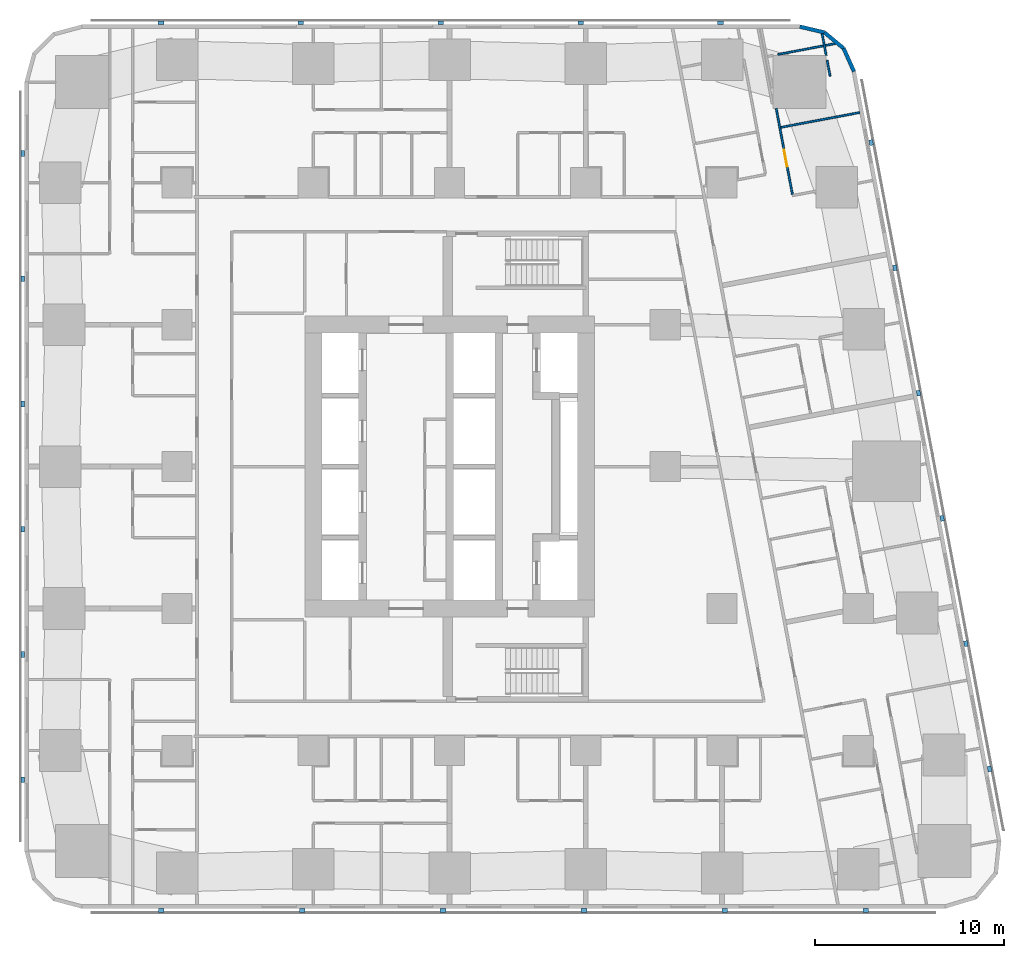
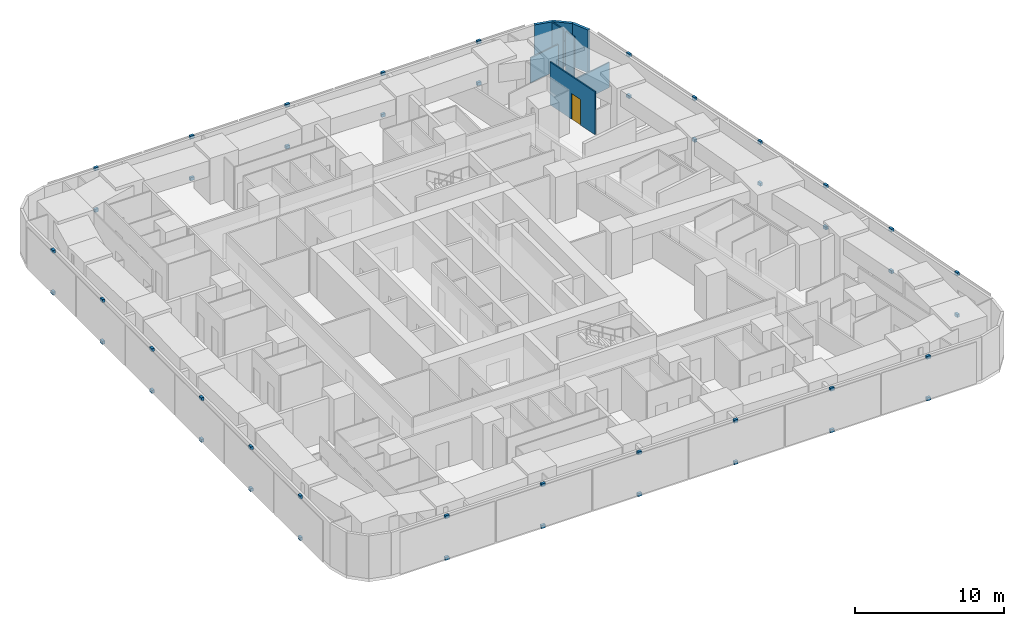
# One storey, part 10 of 14: 46 discrete accessories, 8 walls, 1 door, 1 opening.
"""IFC4 building model written with IfcOpenShell, lengths in metres."""

from ifc_helpers import new_model, si_unit, direction, frame, frame_2d, origin, origin_2d, place, context, subcontext, project, spatial, rectangle, extrude, material, layer, layer_set, type_object, element, fill, save


model = new_model("IFC4")

# Units and contexts
model_context = context("Model", 3, precision=1e-05, world=origin(), true_north=direction((0.0, 1.0)))
body_context = subcontext(model_context, "Body", "Model", "MODEL_VIEW")
ifc_project = project(units=[si_unit("LENGTHUNIT", "METRE"), si_unit("AREAUNIT", "SQUARE_METRE"), si_unit("VOLUMEUNIT", "CUBIC_METRE"), si_unit("PLANEANGLEUNIT", "RADIAN"), si_unit("MASSUNIT", "GRAM", prefix="KILO")], contexts=[model_context])

# Site, building, storey
site_placement = place(None, origin())
site = spatial("IfcSite", under=ifc_project, at=site_placement, CompositionType="ELEMENT")
building_placement = place(site_placement, origin())
building = spatial("IfcBuilding", under=site, at=building_placement, Name="Sheger Commons Tower", CompositionType="ELEMENT")
storey_placement = place(building_placement, frame((0.0, 0.0, 122.89990234375)))
storey = spatial("IfcBuildingStorey", under=building, at=storey_placement, Name="L31", CompositionType="ELEMENT", Elevation=122.89990234375)

# Walls
ifc_material_1 = material(Name="Rendered concrete block masonry, dark grey", Category="masonry")
ifc_layer_1 = layer(ifc_material_1, 0.199951171875)
ifc_layer_set_1 = layer_set([ifc_layer_1], Name="FACADE WALL 200")
wall_type_1 = type_object("IfcWallType", Name="FACADE WALL 200", PredefinedType="SOLIDWALL", material=ifc_layer_set_1)
wall_1_placement = place(storey_placement, frame((42.969970703125, 43.376953125, 0.0), z_axis=(0.0, 0.0, 1.0), x_axis=(-0.406002956633, 0.913871762998, 0.0)))
element("IfcWall", 1, at=wall_1_placement, inside=storey, type_object=wall_type_1, Name="Facade wall L31", PredefinedType="SOLIDWALL", context=body_context, shape_type="SweptSolid", body=[
    extrude(rectangle(XDim=1.33740234375, YDim=0.199951171875, at=frame_2d((0.668701171875, 0.0))), origin(), (0.0, 0.0, 1.0), 3.5),
])
wall_2_placement = place(storey_placement, frame((42.427001953125, 44.59912109375, 0.0), z_axis=(0.0, 0.0, 1.0), x_axis=(-0.770091412544, 0.637933551655, 0.0)))
element("IfcWall", 2, at=wall_2_placement, inside=storey, type_object=wall_type_1, Name="Facade wall L31", PredefinedType="SOLIDWALL", context=body_context, shape_type="SweptSolid", body=[
    extrude(rectangle(XDim=1.324462890625, YDim=0.199951171875, at=frame_2d((0.662109375, 0.0))), origin(), (0.0, 0.0, 1.0), 3.5),
])
wall_3_placement = place(storey_placement, frame((41.406982421875, 45.444091796875, 0.0), z_axis=(0.0, 0.0, 1.0), x_axis=(-0.973453091607, 0.228886606077, 0.0)))
element("IfcWall", 3, at=wall_3_placement, inside=storey, type_object=wall_type_1, Name="Facade wall L31", PredefinedType="SOLIDWALL", context=body_context, shape_type="SweptSolid", body=[
    extrude(rectangle(XDim=1.33642578125, YDim=0.199951171875, at=frame_2d((0.668212890625, 0.0))), origin(), (0.0, 0.0, 1.0), 3.5),
])
ifc_material_2 = material(Name="Gypsum board on steel studs", Category="steel")
ifc_layer_2 = layer(ifc_material_2, 0.10009765625)
ifc_layer_set_2 = layer_set([ifc_layer_2], Name="PARTITION 100")
wall_type_2 = type_object("IfcWallType", Name="PARTITION 100", PredefinedType="PARTITIONING", material=ifc_layer_set_2)
wall_4_placement = place(storey_placement, frame((41.287109375, 45.3701171875, 0.0), z_axis=(0.0, 0.0, 1.0), x_axis=(0.185121628323, -0.982715616405, 0.0)))
element("IfcWall", 4, at=wall_4_placement, inside=storey, type_object=wall_type_2, Name="Partition L31", PredefinedType="PARTITIONING", context=body_context, shape_type="SweptSolid", body=[
    extrude(rectangle(XDim=1.14990234375, YDim=0.10009765625, at=frame_2d((0.574951171875, 0.0))), origin(), (0.0, 0.0, 1.0), 3.5),
])
wall_5_placement = place(storey_placement, frame((41.551025390625, 43.968994140625, 0.0), z_axis=(0.0, 0.0, 1.0), x_axis=(0.185884171512, -0.982571663942, 0.0)))
element("IfcWall", 5, at=wall_5_placement, inside=storey, type_object=wall_type_2, Name="Partition L31", PredefinedType="PARTITIONING", context=body_context, shape_type="SweptSolid", body=[
    extrude(rectangle(XDim=0.849853515625, YDim=0.10009765625, at=frame_2d((0.4248046875, 0.0))), origin(), (0.0, 0.0, 1.0), 3.5),
])

# Wall, opening, door
wall_6_placement = place(storey_placement, frame((38.862060546875, 41.419921875, 0.0), z_axis=(0.0, 0.0, 1.0), x_axis=(0.185332907641, -0.982675792592, 0.0)))
wall_6 = element("IfcWall", 6, at=wall_6_placement, inside=storey, type_object=wall_type_2, Name="Partition L31", PredefinedType="PARTITIONING", context=body_context, shape_type="SweptSolid", body=[
    extrude(rectangle(XDim=4.62890625, YDim=0.10009765625, at=frame_2d((2.314453125, 0.0))), origin(), (0.0, 0.0, 1.0), 3.5),
])
opening_placement = place(wall_6_placement, frame((2.219970703125, 0.0, 0.0)))
opening = element("IfcOpeningElement", 7, at=opening_placement, cuts=wall_6, Name="Opening D2", PredefinedType="OPENING", context=body_context, shape_type="SweptSolid", body=[
    extrude(rectangle(XDim=0.89990234375, YDim=2.10009765625, at=frame_2d((0.449951171875, 1.050048828125))), frame((0.0, 0.06005859375, 0.0), z_axis=(0.0, -1.0, 0.0), x_axis=(1.0, 0.0, 0.0)), (0.0, 0.0, 1.0), 0.1201171875),
])
ifc_material_3 = material(Name="Timber door set", Category="wood")
door_type = type_object("IfcDoorType", Name="INTERNAL DOOR 900x2100", OperationType="NOTDEFINED", PredefinedType="DOOR", material=ifc_material_3)
door_placement = place(opening_placement, origin())
door = element("IfcDoor", 8, at=door_placement, inside=storey, type_object=door_type, Name="Main bedroom door", OperationType="SINGLE_SWING_LEFT", OverallHeight=2.10009765625, OverallWidth=0.89990234375, PredefinedType="DOOR", context=body_context, shape_type="SweptSolid", body=[
    extrude(rectangle(XDim=0.89990234375, YDim=2.10009765625, at=frame_2d((0.449951171875, 1.050048828125))), frame((0.0, 0.02490234375, 0.0), z_axis=(0.0, -1.0, 0.0), x_axis=(1.0, 0.0, 0.0)), (0.0, 0.0, 1.0), 0.050048828125),
])
fill(opening, door)

# Walls
wall_7_placement = place(storey_placement, frame((41.968017578125, 44.85009765625, 0.0), z_axis=(0.0, 0.0, 1.0), x_axis=(-0.982566714195, -0.185910333644, 0.0)))
element("IfcWall", 9, at=wall_7_placement, inside=storey, type_object=wall_type_2, Name="Partition L31", PredefinedType="PARTITIONING", context=body_context, shape_type="SweptSolid", body=[
    extrude(rectangle(XDim=3.071533203125, YDim=0.10009765625, at=frame_2d((1.53564453125, 0.0))), origin(), (0.0, 0.0, 1.0), 2.050048828125),
])
wall_8_placement = place(storey_placement, frame((43.277099609375, 41.2119140625, 0.0), z_axis=(0.0, 0.0, 1.0), x_axis=(-0.982665405803, -0.185387972203, 0.0)))
element("IfcWall", 10, at=wall_8_placement, inside=storey, type_object=wall_type_2, Name="Partition L31", PredefinedType="PARTITIONING", context=body_context, shape_type="SweptSolid", body=[
    extrude(rectangle(XDim=4.249755859375, YDim=0.10009765625, at=frame_2d((2.125, 0.0))), origin(), (0.0, 0.0, 1.0), 2.050048828125),
])

# Discrete accessories
ifc_material_4 = material(Name="Black painted steel bracket", Category="steel")
discrete_accessory_type = type_object("IfcDiscreteAccessoryType", Name="SCREEN BRACKET 300x200x250", PredefinedType="BRACKET", material=ifc_material_4)
for number, where, z_axis, x_axis, name in (
    (11, (6.37109375, -0.949951171875, -0.099853515625), (0.0, 0.0, 1.0), (1.0, 0.0, 0.0), "Solar screen foot bracket"),
    (12, (6.37109375, -0.949951171875, 3.300048828125), (0.0, 0.0, 1.0), (1.0, 0.0, 0.0), "Solar screen head bracket"),
    (13, (13.81396484375, -0.949951171875, -0.099853515625), (0.0, 0.0, 1.0), (1.0, 0.0, 0.0), "Solar screen foot bracket"),
    (14, (13.81396484375, -0.949951171875, 3.300048828125), (0.0, 0.0, 1.0), (1.0, 0.0, 0.0), "Solar screen head bracket"),
    (15, (21.257080078125, -0.949951171875, -0.099853515625), (0.0, 0.0, 1.0), (1.0, 0.0, 0.0), "Solar screen foot bracket"),
    (16, (21.257080078125, -0.949951171875, 3.300048828125), (0.0, 0.0, 1.0), (1.0, 0.0, 0.0), "Solar screen head bracket"),
    (17, (28.698974609375, -0.949951171875, -0.099853515625), (0.0, 0.0, 1.0), (1.0, 0.0, 0.0), "Solar screen foot bracket"),
    (18, (28.698974609375, -0.949951171875, 3.300048828125), (0.0, 0.0, 1.0), (1.0, 0.0, 0.0), "Solar screen head bracket"),
    (19, (36.14208984375, -0.949951171875, -0.099853515625), (0.0, 0.0, 1.0), (1.0, 0.0, 0.0), "Solar screen foot bracket"),
    (20, (36.14208984375, -0.949951171875, 3.300048828125), (0.0, 0.0, 1.0), (1.0, 0.0, 0.0), "Solar screen head bracket"),
    (21, (43.5849609375, -0.949951171875, -0.099853515625), (0.0, 0.0, 1.0), (1.0, 0.0, 0.0), "Solar screen foot bracket"),
    (22, (43.5849609375, -0.949951171875, 3.300048828125), (0.0, 0.0, 1.0), (1.0, 0.0, 0.0), "Solar screen head bracket"),
    (23, (50.134033203125, 6.527099609375, -0.099853515625), (0.0, 0.0, 1.0), (-0.185615165645, 0.982622516678, 0.0), "Solar screen foot bracket"),
    (24, (50.134033203125, 6.527099609375, 3.300048828125), (0.0, 0.0, 1.0), (-0.185615165645, 0.982622516678, 0.0), "Solar screen head bracket"),
    (25, (48.884033203125, 13.14599609375, -0.099853515625), (0.0, 0.0, 1.0), (-0.185615165645, 0.982622516678, 0.0), "Solar screen foot bracket"),
    (26, (48.884033203125, 13.14599609375, 3.300048828125), (0.0, 0.0, 1.0), (-0.185615165645, 0.982622516678, 0.0), "Solar screen head bracket"),
    (27, (47.633056640625, 19.76611328125, -0.099853515625), (0.0, 0.0, 1.0), (-0.185615165645, 0.982622516678, 0.0), "Solar screen foot bracket"),
    (28, (47.633056640625, 19.76611328125, 3.300048828125), (0.0, 0.0, 1.0), (-0.185615165645, 0.982622516678, 0.0), "Solar screen head bracket"),
    (29, (46.383056640625, 26.385009765625, -0.099853515625), (0.0, 0.0, 1.0), (-0.185615165645, 0.982622516678, 0.0), "Solar screen foot bracket"),
    (30, (46.383056640625, 26.385009765625, 3.300048828125), (0.0, 0.0, 1.0), (-0.185615165645, 0.982622516678, 0.0), "Solar screen head bracket"),
    (31, (45.133056640625, 33.0048828125, -0.099853515625), (0.0, 0.0, 1.0), (-0.185615165645, 0.982622516678, 0.0), "Solar screen foot bracket"),
    (32, (45.133056640625, 33.0048828125, 3.300048828125), (0.0, 0.0, 1.0), (-0.185615165645, 0.982622516678, 0.0), "Solar screen head bracket"),
    (33, (43.882080078125, 39.6240234375, -0.099853515625), (0.0, 0.0, 1.0), (-0.185615165645, 0.982622516678, 0.0), "Solar screen foot bracket"),
    (34, (43.882080078125, 39.6240234375, 3.300048828125), (0.0, 0.0, 1.0), (-0.185615165645, 0.982622516678, 0.0), "Solar screen head bracket"),
    (35, (35.9208984375, 45.949951171875, -0.099853515625), (0.0, 0.0, 1.0), (-1.0, 0.0, 0.0), "Solar screen foot bracket"),
    (36, (35.9208984375, 45.949951171875, 3.300048828125), (0.0, 0.0, 1.0), (-1.0, 0.0, 0.0), "Solar screen head bracket"),
    (37, (28.528076171875, 45.949951171875, -0.099853515625), (0.0, 0.0, 1.0), (-1.0, 0.0, 0.0), "Solar screen foot bracket"),
    (38, (28.528076171875, 45.949951171875, 3.300048828125), (0.0, 0.0, 1.0), (-1.0, 0.0, 0.0), "Solar screen head bracket"),
    (39, (21.134033203125, 45.949951171875, -0.099853515625), (0.0, 0.0, 1.0), (-1.0, 0.0, 0.0), "Solar screen foot bracket"),
    (40, (21.134033203125, 45.949951171875, 3.300048828125), (0.0, 0.0, 1.0), (-1.0, 0.0, 0.0), "Solar screen head bracket"),
    (41, (13.739990234375, 45.949951171875, -0.099853515625), (0.0, 0.0, 1.0), (-1.0, 0.0, 0.0), "Solar screen foot bracket"),
    (42, (13.739990234375, 45.949951171875, 3.300048828125), (0.0, 0.0, 1.0), (-1.0, 0.0, 0.0), "Solar screen head bracket"),
    (43, (6.346923828125, 45.949951171875, -0.099853515625), (0.0, 0.0, 1.0), (-1.0, 0.0, 0.0), "Solar screen foot bracket"),
    (44, (6.346923828125, 45.949951171875, 3.300048828125), (0.0, 0.0, 1.0), (-1.0, 0.0, 0.0), "Solar screen head bracket"),
    (45, (-0.949951171875, 39.0419921875, -0.099853515625), (0.0, 0.0, 1.0), (0.0, -1.0, 0.0), "Solar screen foot bracket"),
    (46, (-0.949951171875, 39.0419921875, 3.300048828125), (0.0, 0.0, 1.0), (0.0, -1.0, 0.0), "Solar screen head bracket"),
    (47, (-0.949951171875, 32.425048828125, -0.099853515625), (0.0, 0.0, 1.0), (0.0, -1.0, 0.0), "Solar screen foot bracket"),
    (48, (-0.949951171875, 32.425048828125, 3.300048828125), (0.0, 0.0, 1.0), (0.0, -1.0, 0.0), "Solar screen head bracket"),
    (49, (-0.949951171875, 25.80810546875, -0.099853515625), (0.0, 0.0, 1.0), (0.0, -1.0, 0.0), "Solar screen foot bracket"),
    (50, (-0.949951171875, 25.80810546875, 3.300048828125), (0.0, 0.0, 1.0), (0.0, -1.0, 0.0), "Solar screen head bracket"),
    (51, (-0.949951171875, 19.19189453125, -0.099853515625), (0.0, 0.0, 1.0), (0.0, -1.0, 0.0), "Solar screen foot bracket"),
    (52, (-0.949951171875, 19.19189453125, 3.300048828125), (0.0, 0.0, 1.0), (0.0, -1.0, 0.0), "Solar screen head bracket"),
    (53, (-0.949951171875, 12.574951171875, -0.099853515625), (0.0, 0.0, 1.0), (0.0, -1.0, 0.0), "Solar screen foot bracket"),
    (54, (-0.949951171875, 12.574951171875, 3.300048828125), (0.0, 0.0, 1.0), (0.0, -1.0, 0.0), "Solar screen head bracket"),
    (55, (-0.949951171875, 5.9580078125, -0.099853515625), (0.0, 0.0, 1.0), (0.0, -1.0, 0.0), "Solar screen foot bracket"),
    (56, (-0.949951171875, 5.9580078125, 3.300048828125), (0.0, 0.0, 1.0), (0.0, -1.0, 0.0), "Solar screen head bracket"),
):
    element("IfcDiscreteAccessory", number, at=place(storey_placement, frame(where, z_axis=z_axis, x_axis=x_axis)), inside=storey, type_object=discrete_accessory_type, Name=name, PredefinedType="BRACKET", context=body_context, shape_type="SweptSolid", body=[
        extrude(rectangle(XDim=0.300048828125, YDim=0.199951171875, at=origin_2d()), origin(), (0.0, 0.0, 1.0), 0.25),
    ])

save(model, "model.ifc")
